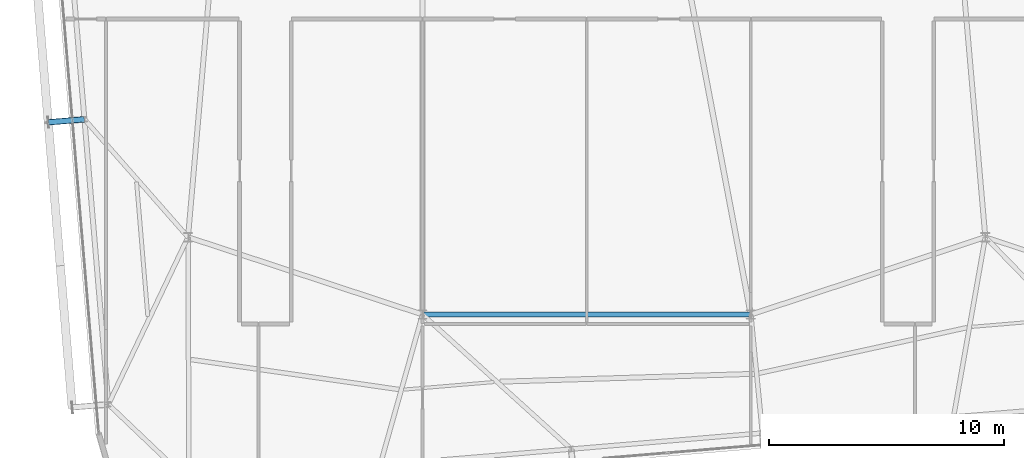
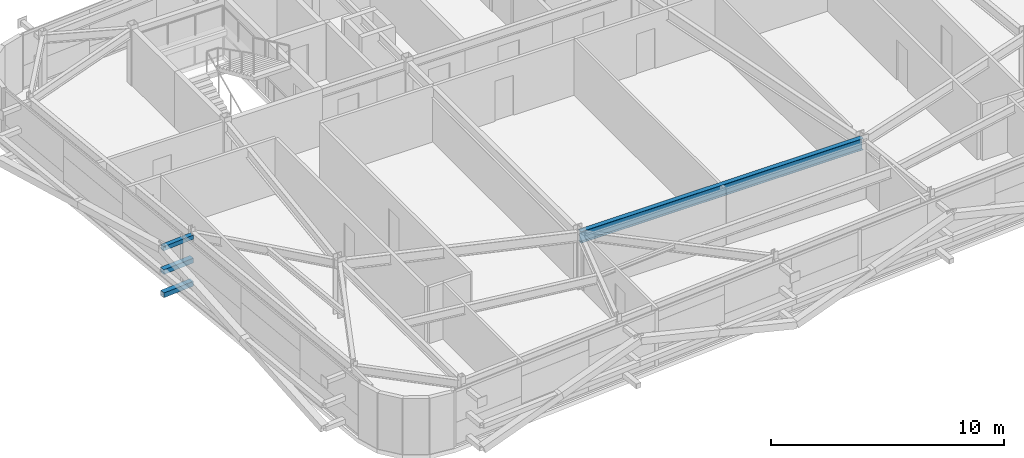
# One storey, part 11 of 37: 3 members, 1 beam.
"""IFC4 building model written with IfcOpenShell, lengths in metres."""

import ifcopenshell
import ifcopenshell.guid

model = None  # the IFC model being written
_history = None  # IfcOwnerHistory: only IFC2X3 demands one
_inside = {}  # id of a spatial element -> (the spatial element, [elements in it])
_under = {}  # id of a project, library or spatial element -> (it, [spatial elements below it])
_declared = {}  # id of a project -> (the project, [libraries it declares])
_typed = {}  # id of a type object -> (the type object, [elements of that type])
_made_of = {}  # id of a material, layer set ... -> (it, [elements and type objects made of it])


def new_model(schema):
    """Start an empty IFC model of exactly this schema.

    Asked for "IFC4X3", IfcOpenShell would pick the latest addendum, in which some entities
    have other attributes; the version numbers below select the first issue.
    IFC2X3 requires an IfcOwnerHistory on every rooted entity: one is made here for all.
    """
    global model, _history
    if schema == "IFC4X3":
        model = ifcopenshell.file(schema_version=(4, 3, 0, 0))
    else:
        model = ifcopenshell.file(schema=schema)
    _inside.clear()
    _under.clear()
    _declared.clear()
    _typed.clear()
    _made_of.clear()
    _history = None
    if model.schema == "IFC2X3":
        org = make("IfcOrganization", Name="unknown")
        user = make(
            "IfcPersonAndOrganization",
            ThePerson=make("IfcPerson", FamilyName="unknown"),
            TheOrganization=org,
        )
        app = make(
            "IfcApplication",
            ApplicationDeveloper=org,
            Version="unknown",
            ApplicationFullName="unknown",
            ApplicationIdentifier="unknown",
        )
        _history = make(
            "IfcOwnerHistory",
            OwningUser=user,
            OwningApplication=app,
            ChangeAction="ADDED",
            CreationDate=0,
        )
    return model


def make(cls, **values):
    """One entity of the class cls with the attributes given. An attribute that is None is left unset."""
    return model.create_entity(
        cls, **{name: value for name, value in values.items() if value is not None}
    )


def rooted(cls, **values):
    """An entity with a GlobalId (a new one), such as an element, a storey or a relation."""
    return make(cls, GlobalId=ifcopenshell.guid.new(), OwnerHistory=_history, **values)


def si_unit(unit_type, name, prefix=None):
    """IfcSIUnit, for example si_unit("LENGTHUNIT", "METRE", prefix="MILLI")."""
    return make("IfcSIUnit", UnitType=unit_type, Prefix=prefix, Name=name)


def assignment(units):
    """IfcUnitAssignment: the units of a project."""
    return None if units is None else make("IfcUnitAssignment", Units=units)


def point(xyz):
    """IfcCartesianPoint."""
    return None if xyz is None else make("IfcCartesianPoint", Coordinates=xyz)


def direction(xyz):
    """IfcDirection."""
    return None if xyz is None else make("IfcDirection", DirectionRatios=xyz)


def frame(location, z_axis=None, x_axis=None):
    """IfcAxis2Placement3D, a coordinate frame: its origin and axes. An axis left out is left unset."""
    return make(
        "IfcAxis2Placement3D",
        Location=point(location),
        Axis=direction(z_axis),
        RefDirection=direction(x_axis),
    )


def frame_2d(location, x_axis=None):
    """IfcAxis2Placement2D, a coordinate frame in the plane: its origin and x axis."""
    return make(
        "IfcAxis2Placement2D", Location=point(location), RefDirection=direction(x_axis)
    )


def origin():
    """The frame at (0, 0, 0) with its axes left unset."""
    return frame((0.0, 0.0, 0.0))


def origin_2d():
    """The frame at (0, 0) in the plane with its x axis left unset."""
    return frame_2d((0.0, 0.0))


def place(relative_to, where):
    """IfcLocalPlacement: puts the frame where relative to a parent placement (None: the world)."""
    return make(
        "IfcLocalPlacement", PlacementRelTo=relative_to, RelativePlacement=where
    )


def context(
    kind, dimensions, precision=None, world=None, true_north=None, identifier=None
):
    """IfcGeometricRepresentationContext, for example the 3D "Model" context."""
    return make(
        "IfcGeometricRepresentationContext",
        ContextIdentifier=identifier,
        ContextType=kind,
        CoordinateSpaceDimension=dimensions,
        Precision=precision,
        WorldCoordinateSystem=world,
        TrueNorth=true_north,
    )


def subcontext(parent, identifier, kind, view, scale=None):
    """IfcGeometricRepresentationSubContext, for example "Body" below "Model"."""
    return make(
        "IfcGeometricRepresentationSubContext",
        ContextIdentifier=identifier,
        ContextType=kind,
        ParentContext=parent,
        TargetScale=scale,
        TargetView=view,
    )


def project(units=None, contexts=None):
    """IfcProject with its units and contexts."""
    return rooted(
        "IfcProject",
        Name="project",
        RepresentationContexts=contexts,
        UnitsInContext=assignment(units),
    )


def spatial(cls, under=None, at=None, **own):
    """A site, building, storey or space (cls), placed at a placement, below another one or the project."""
    s = rooted(cls, ObjectPlacement=at, **own)
    if under is not None:
        _under.setdefault(under.id(), (under, []))[1].append(s)
    return s


def profile(cls, at=None, kind="AREA", **sizes):
    """A parametric profile (cls). Its sizes go by their IFC names, for example OverallWidth=200.0."""
    return make(cls, ProfileType=kind, Position=at, **sizes)


def hollow_rectangle(**sizes):
    """IfcRectangleHollowProfileDef."""
    return profile("IfcRectangleHollowProfileDef", **sizes)


def i_section(**sizes):
    """IfcIShapeProfileDef."""
    return profile("IfcIShapeProfileDef", **sizes)


def extrude(swept, where, along, depth):
    """IfcExtrudedAreaSolid: the profile swept, set in the frame where, extruded along a direction by depth."""
    return make(
        "IfcExtrudedAreaSolid",
        SweptArea=swept,
        Position=where,
        ExtrudedDirection=direction(along),
        Depth=depth,
    )


def shape(context_of_items, identifier, shape_type, items):
    """IfcShapeRepresentation: the items that make up one representation, for example the "Body"."""
    return make(
        "IfcShapeRepresentation",
        ContextOfItems=context_of_items,
        RepresentationIdentifier=identifier,
        RepresentationType=shape_type,
        Items=items,
    )


def source(mapping_origin, context_of_items, identifier, shape_type, items):
    """IfcRepresentationMap: a shape defined once, which mapped items show again and again."""
    return make(
        "IfcRepresentationMap",
        MappingOrigin=mapping_origin,
        MappedRepresentation=shape(context_of_items, identifier, shape_type, items),
    )


def transform(
    local_origin,
    x_axis=None,
    y_axis=None,
    z_axis=None,
    scale=None,
    scale2=None,
    scale3=None,
    uniform=True,
):
    """IfcCartesianTransformationOperator3D, or its non-uniform kind. x_axis, y_axis, z_axis: its Axis1, 2, 3."""
    if uniform:
        return make(
            "IfcCartesianTransformationOperator3D",
            Axis1=direction(x_axis),
            Axis2=direction(y_axis),
            LocalOrigin=point(local_origin),
            Scale=scale,
            Axis3=direction(z_axis),
        )
    return make(
        "IfcCartesianTransformationOperator3DnonUniform",
        Axis1=direction(x_axis),
        Axis2=direction(y_axis),
        LocalOrigin=point(local_origin),
        Scale=scale,
        Axis3=direction(z_axis),
        Scale2=scale2,
        Scale3=scale3,
    )


def mapped(mapping_source, mapping_target):
    """IfcMappedItem: shows the shape of a source again, moved by a transform."""
    return make(
        "IfcMappedItem", MappingSource=mapping_source, MappingTarget=mapping_target
    )


def material(Name=None, Category=None):
    """IfcMaterial."""
    return make("IfcMaterial", Name=Name, Category=Category)


def material_profile(
    of_material, cross_section, Name=None, Category=None, Priority=None
):
    """IfcMaterialProfile: a cross section and its material."""
    return make(
        "IfcMaterialProfile",
        Name=Name,
        Material=of_material,
        Profile=cross_section,
        Priority=Priority,
        Category=Category,
    )


def profile_set(profiles, Name=None, composite=None):
    """IfcMaterialProfileSet."""
    return make(
        "IfcMaterialProfileSet",
        Name=Name,
        MaterialProfiles=profiles,
        CompositeProfile=composite,
    )


def made_of(thing, what):
    """Note that an element or type object is made of a material, layer set ...; save() writes the relation."""
    if what is not None:
        _made_of.setdefault(what.id(), (what, []))[1].append(thing)
    return thing


def type_object(cls, material=None, **own):
    """A type object (cls), such as IfcWallType, which elements share."""
    return made_of(rooted(cls, **own), material)


def element(
    cls,
    number,
    at=None,
    inside=None,
    cuts=None,
    type_object=None,
    material=None,
    context=None,
    identifier="Body",
    shape_type=None,
    held_by="IfcProductDefinitionShape",
    body=None,
    shapes=None,
    **own,
):
    """One element of the class cls, such as IfcWall. Its Tag is "e" and its number.

    at: its placement. inside: the storey or other place that contains it. cuts: it is an
    opening in that element (IfcRelVoidsElement). A single representation is given by context,
    identifier, shape_type and body (its items); several are given by shapes. held_by: the class
    of the entity that holds the representations. save() writes the other relations.
    """
    e = rooted(cls, Tag="e%d" % number, ObjectPlacement=at, **own)
    if body is not None:
        shapes = [shape(context, identifier, shape_type, body)]
    if shapes is not None:
        e.Representation = make(held_by, Representations=shapes)
    if inside is not None:
        _inside.setdefault(inside.id(), (inside, []))[1].append(e)
    if cuts is not None:
        rooted(
            "IfcRelVoidsElement", RelatingBuildingElement=cuts, RelatedOpeningElement=e
        )
    if type_object is not None:
        _typed.setdefault(type_object.id(), (type_object, []))[1].append(e)
    return made_of(e, material)


def aggregate(whole, parts):
    """IfcRelAggregates: a whole, such as a stair, and the parts it consists of."""
    return rooted("IfcRelAggregates", RelatingObject=whole, RelatedObjects=parts)


def save(model, path):
    """Write the relations noted so far, then the file.

    IfcRelAggregates (storeys below a building ...), IfcRelContainedInSpatialStructure (elements
    in a storey), IfcRelDefinesByType, IfcRelAssociatesMaterial and IfcRelDeclares: one each for
    every whole, place, type object, material and project.
    """
    for whole, parts in _under.values():
        aggregate(whole, parts)
    for where, things in _inside.values():
        rooted(
            "IfcRelContainedInSpatialStructure",
            RelatedElements=things,
            RelatingStructure=where,
        )
    for kind, things in _typed.values():
        rooted("IfcRelDefinesByType", RelatedObjects=things, RelatingType=kind)
    for what, things in _made_of.values():
        rooted("IfcRelAssociatesMaterial", RelatedObjects=things, RelatingMaterial=what)
    for by, libraries in _declared.values():
        rooted("IfcRelDeclares", RelatingContext=by, RelatedDefinitions=libraries)
    model.write(path)


model = new_model("IFC4")

# Units and contexts
model_context = context("Model", 3, precision=1e-05, world=origin(), true_north=direction((0.0, 1.0)))
body_context = subcontext(model_context, "Body", "Model", "MODEL_VIEW")
ifc_project = project(units=[si_unit("LENGTHUNIT", "METRE"), si_unit("AREAUNIT", "SQUARE_METRE"), si_unit("VOLUMEUNIT", "CUBIC_METRE"), si_unit("PLANEANGLEUNIT", "RADIAN"), si_unit("MASSUNIT", "GRAM", prefix="KILO")], contexts=[model_context])

# Site, building, storey
site_placement = place(None, origin())
site = spatial("IfcSite", under=ifc_project, at=site_placement, CompositionType="ELEMENT")
building_placement = place(site_placement, origin())
building = spatial("IfcBuilding", under=site, at=building_placement, Name="Taldren Reach Tower", CompositionType="ELEMENT")
storey_placement = place(building_placement, frame((0.0, 0.0, 172.550048828125)))
storey = spatial("IfcBuildingStorey", under=building, at=storey_placement, Name="L52", CompositionType="ELEMENT", Elevation=172.550048828125)

# Beam
ifc_material_1 = material(Name="Steel Gr 350 (350PLUS)", Category="steel")
ifc_material_profile_1 = material_profile(ifc_material_1, i_section(OverallWidth=0.22802734375, OverallDepth=0.60205078125, WebThickness=0.010498046875, FlangeThickness=0.014892578125, at=origin_2d()), Name="610UB101")
ifc_profile_set_1 = profile_set([ifc_material_profile_1], Name="Steel Gr 350 (350PLUS)")
beam_type = type_object("IfcBeamType", Name="BM-UB610B", PredefinedType="BEAM", material=ifc_profile_set_1)
shared_shape_1 = source(origin(), body_context, "Body", "SweptSolid", [
    extrude(i_section(OverallWidth=0.22802734375, OverallDepth=0.60205078125, WebThickness=0.010498046875, FlangeThickness=0.014892578125, at=origin_2d()), origin(), (0.0, 0.0, 1.0), 14.0),
])
beam_placement = place(storey_placement, frame((28.0, 9.199951171875, 2.62890625), z_axis=(1.0, 0.0, 0.0), x_axis=(0.0, 1.0, 0.0)))
element("IfcBeam", 1, at=beam_placement, inside=storey, type_object=beam_type, Name="Core-spine girder L52-SP11", PredefinedType="BEAM", context=body_context, shape_type="MappedRepresentation", body=[
    mapped(shared_shape_1, transform((0.0, 0.0, 0.0), scale=1.0)),
])

# Members
ifc_material_2 = material(Name="Steel Gr 450 (C450L0)", Category="steel")
ifc_material_profile_2 = material_profile(ifc_material_2, hollow_rectangle(XDim=0.219970703125, YDim=0.219970703125, WallThickness=0.00830078125, at=origin_2d()), Name="220x220x8.2SHS")
ifc_profile_set_2 = profile_set([ifc_material_profile_2], Name="Steel Gr 450 (C450L0)")
member_type_1 = type_object("IfcMemberType", Name="MB-TIE219", PredefinedType="STRUT", material=ifc_profile_set_2)
shared_shape_2 = source(origin(), body_context, "Body", "SweptSolid", [
    extrude(hollow_rectangle(XDim=0.219970703125, YDim=0.219970703125, WallThickness=0.00830078125, at=origin_2d()), origin(), (0.0, 0.0, 1.0), 1.54541015625),
])
member_placement = place(storey_placement, frame((13.578125, 17.52490234375, 2.64990234375), z_axis=(-0.99648887425, -0.083725285883, 0.0), x_axis=(0.083725285883, -0.99648887425, 0.0)))
element("IfcMember", 2, at=member_placement, inside=storey, type_object=member_type_1, Name="Exoskeleton diaphragm tie strut B4-W2 L52", PredefinedType="STRUT", context=body_context, shape_type="MappedRepresentation", body=[
    mapped(shared_shape_2, transform((0.0, 0.0, 0.0), scale=1.0)),
])
ifc_material_3 = material(Name="Steel Gr 350 (C350L0)", Category="steel")
ifc_material_profile_3 = material_profile(ifc_material_3, hollow_rectangle(XDim=0.25, YDim=0.25, WallThickness=0.010009765625, at=origin_2d()), Name="250x250x10.0SHS")
ifc_profile_set_3 = profile_set([ifc_material_profile_3], Name="Steel Gr 350 (C350L0)")
member_type_2 = type_object("IfcMemberType", Name="MB-POST250", PredefinedType="POST", material=ifc_profile_set_3)
shared_shape_3 = source(origin(), body_context, "Body", "SweptSolid", [
    extrude(hollow_rectangle(XDim=0.25, YDim=0.25, WallThickness=0.010009765625, at=origin_2d()), origin(), (0.0, 0.0, 1.0), 1.54541015625),
])
for number, where, z_axis, x_axis, name in (
    (3, (13.578125, 17.52490234375, 0.219970703125), (-0.99648887425, -0.083725285883, 0.0), (0.083725285883, -0.99648887425, 0.0), "Exoskeleton base diaphragm tie strut B4-W2 L52"),
    (4, (13.578125, 17.52490234375, 1.43505859375), (-0.99648887425, -0.083725285883, 0.0), (0.083725285883, -0.99648887425, 0.0), "Exoskeleton mid-tier diaphragm tie B4-W2 L52"),
):
    element("IfcMember", number, at=place(storey_placement, frame(where, z_axis=z_axis, x_axis=x_axis)), inside=storey, type_object=member_type_2, Name=name, PredefinedType="POST", context=body_context, shape_type="MappedRepresentation", body=[
        mapped(shared_shape_3, transform((0.0, 0.0, 0.0), scale=1.0)),
    ])

save(model, "model.ifc")
